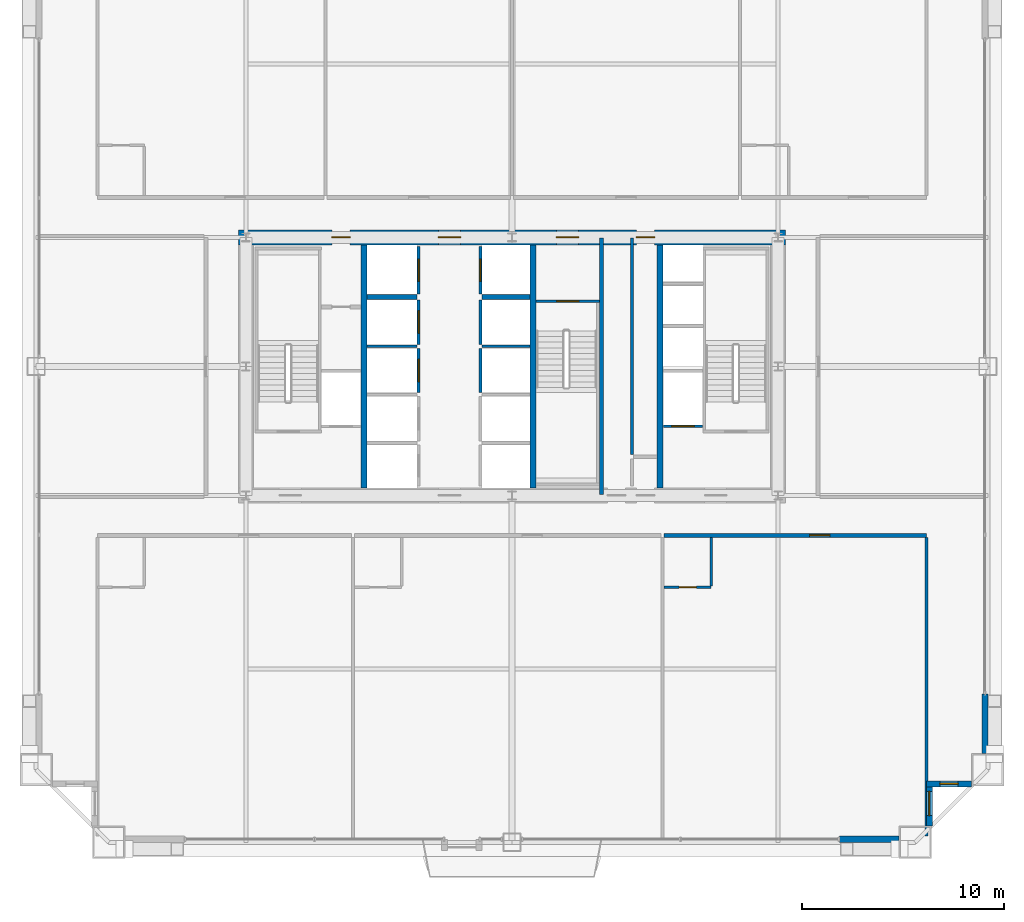
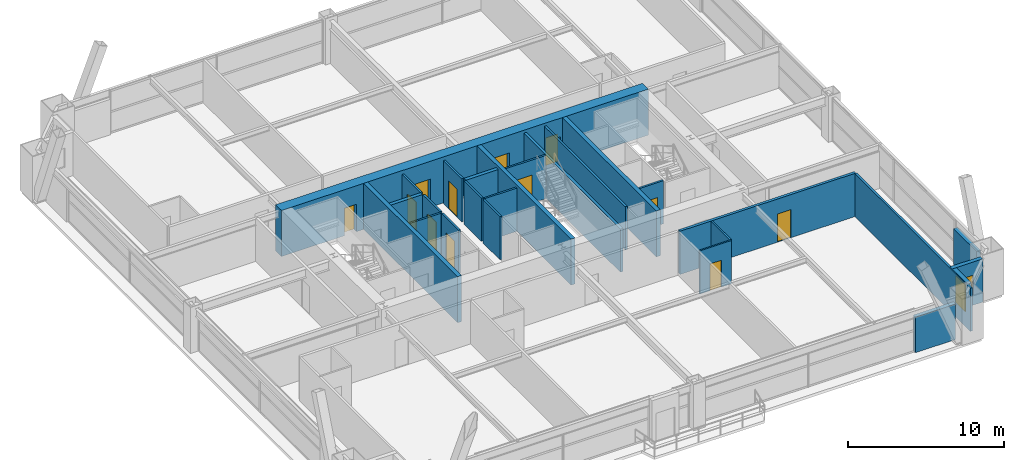
# One storey, part 40 of 43: 26 walls, 12 doors, 2 windows, 14 openings.
"""IFC4 building model written with IfcOpenShell, lengths in metres."""

from ifc_helpers import new_model, si_unit, direction, frame, frame_2d, origin, place, context, subcontext, project, spatial, rectangle, extrude, source, transform, mapped, material, layer, layer_set, type_object, element, fill, save


model = new_model("IFC4")

# Units and contexts
model_context = context("Model", 3, precision=1e-05, world=origin(), true_north=direction((0.0, 1.0)))
body_context = subcontext(model_context, "Body", "Model", "MODEL_VIEW")
ifc_project = project(units=[si_unit("LENGTHUNIT", "METRE"), si_unit("AREAUNIT", "SQUARE_METRE"), si_unit("VOLUMEUNIT", "CUBIC_METRE"), si_unit("PLANEANGLEUNIT", "RADIAN"), si_unit("MASSUNIT", "GRAM", prefix="KILO"), si_unit("THERMODYNAMICTEMPERATUREUNIT", "KELVIN"), si_unit("POWERUNIT", "WATT")], contexts=[model_context])

# Site, building, storey
site_placement = place(None, origin())
site = spatial("IfcSite", under=ifc_project, at=site_placement, CompositionType="ELEMENT")
building_placement = place(site_placement, origin())
building = spatial("IfcBuilding", under=site, at=building_placement, Name="Yuzanri Waterfront Tower", CompositionType="ELEMENT")
storey_placement = place(building_placement, frame((0.0, 0.0, 108.199951171875)))
storey = spatial("IfcBuildingStorey", under=building, at=storey_placement, Name="L28", CompositionType="ELEMENT", Elevation=108.199951171875)

# Wall, opening, door
ifc_material_1 = material(Name="Moisture-Resistant Gypsum Stud Wall", Category="gypsum")
ifc_layer_1 = layer(ifc_material_1, 0.1201171875)
ifc_layer_set_1 = layer_set([ifc_layer_1], Name="Moisture-Resistant Gypsum Stud Wall")
wall_type_1 = type_object("IfcWallType", Name="Bathroom and Kitchen Wet Partition 120", PredefinedType="PARTITIONING", material=ifc_layer_set_1)
wall_1_placement = place(storey_placement, frame((44.550048828125, 14.840087890625, 0.0), z_axis=(0.0, 0.0, 1.0), x_axis=(1.0, 0.0, 0.0)))
wall_1 = element("IfcWall", 1, at=wall_1_placement, inside=storey, type_object=wall_type_1, Name="L28 Partition UW-L28-S3-BS", PredefinedType="PARTITIONING", context=body_context, shape_type="SweptSolid", body=[
    extrude(rectangle(XDim=2.329833984375, YDim=0.1201171875, at=frame_2d((1.1650390625, 0.0))), origin(), (0.0, 0.0, 1.0), 3.380126953125),
])
opening_1_placement = place(wall_1_placement, frame((0.739990234375, 0.0, 0.0)))
opening_1 = element("IfcOpeningElement", 2, at=opening_1_placement, cuts=wall_1, Name="Opening ID-0850", PredefinedType="OPENING", context=body_context, shape_type="SweptSolid", body=[
    extrude(rectangle(XDim=0.85009765625, YDim=2.10009765625, at=frame_2d((0.425048828125, 1.050048828125))), frame((0.0, 0.074951171875, 0.0), z_axis=(0.0, -1.0, 0.0), x_axis=(1.0, 0.0, 0.0)), (0.0, 0.0, 1.0), 0.14990234375),
])
ifc_material_2 = material(Name="Moisture-Resistant Lacquered Timber", Category="wood")
door_type_1 = type_object("IfcDoorType", Name="En-Suite Bathroom and Kitchen Swing Door 850x2100", OperationType="NOTDEFINED", PredefinedType="DOOR", material=ifc_material_2)
shared_shape_1 = source(origin(), body_context, "Body", "SweptSolid", [
    extrude(rectangle(XDim=0.85009765625, YDim=2.10009765625, at=frame_2d((0.425048828125, 1.050048828125))), frame((0.0, 0.02490234375, 0.0), z_axis=(0.0, -1.0, 0.0), x_axis=(1.0, 0.0, 0.0)), (0.0, 0.0, 1.0), 0.050048828125),
])
door_1_placement = place(opening_1_placement, origin())
door_1 = element("IfcDoor", 3, at=door_1_placement, inside=storey, type_object=door_type_1, Name="L28 Guest En-Suite Door", OperationType="SINGLE_SWING_LEFT", OverallHeight=2.10009765625, OverallWidth=0.85009765625, PredefinedType="DOOR", context=body_context, shape_type="MappedRepresentation", body=[
    mapped(shared_shape_1, transform((0.0, 0.0, 0.0), scale=1.0)),
])
fill(opening_1, door_1)

# Wall, opening, window
ifc_material_3 = material(Name="Honed Chongqing Dark Basalt Stone", Category="masonry")
ifc_layer_2 = layer(ifc_material_3, 0.300048828125)
ifc_layer_set_2 = layer_set([ifc_layer_2], Name="Honed Chongqing Dark Basalt Stone")
wall_type_2 = type_object("IfcWallType", Name="Bronze Rainscreen Insulated Spandrel Portal Wall 300", PredefinedType="SOLIDWALL", material=ifc_layer_set_2)
wall_2_placement = place(storey_placement, frame((57.550048828125, 5.10009765625, 0.0), z_axis=(0.0, 0.0, 1.0), x_axis=(1.0, 0.0, 0.0)))
wall_2 = element("IfcWall", 4, at=wall_2_placement, inside=storey, type_object=wall_type_2, Name="L28 Notched Corner Masonry Wall SE-X", PredefinedType="SOLIDWALL", context=body_context, shape_type="SweptSolid", body=[
    extrude(rectangle(XDim=2.25, YDim=0.300048828125, at=frame_2d((1.125, 0.0))), origin(), (0.0, 0.0, 1.0), 3.380126953125),
])
opening_2_placement = place(wall_2_placement, frame((0.675048828125, 0.0, 0.85009765625)))
opening_2 = element("IfcOpeningElement", 5, at=opening_2_placement, cuts=wall_2, Name="Opening WN-05", PredefinedType="OPENING", context=body_context, shape_type="SweptSolid", body=[
    extrude(rectangle(XDim=0.89990234375, YDim=1.5, at=frame_2d((0.449951171875, 0.75))), frame((0.0, 0.1650390625, 0.0), z_axis=(0.0, -1.0, 0.0), x_axis=(1.0, 0.0, 0.0)), (0.0, 0.0, 1.0), 0.329833984375),
])
ifc_material_4 = material(Name="Double-Silver Low-E Insulated Glass", Category="glass")
window_type_1 = type_object("IfcWindowType", Name="Anodized Bronze Service and Stairwell Smoke-Vent Window 900x1500", PartitioningType="SINGLE_PANEL", PredefinedType="WINDOW", material=ifc_material_4)
shared_shape_2 = source(origin(), body_context, "Body", "SweptSolid", [
    extrude(rectangle(XDim=0.89990234375, YDim=1.5, at=frame_2d((0.449951171875, 0.75))), frame((0.0, 0.030029296875, 0.0), z_axis=(0.0, -1.0, 0.0), x_axis=(1.0, 0.0, 0.0)), (0.0, 0.0, 1.0), 0.06005859375),
])
window_1_placement = place(opening_2_placement, origin())
window_1 = element("IfcWindow", 6, at=window_1_placement, inside=storey, type_object=window_type_1, Name="L28 Notched Corner Window SE-X", OverallHeight=1.5, OverallWidth=0.89990234375, PartitioningType="SINGLE_PANEL", PredefinedType="WINDOW", context=body_context, shape_type="MappedRepresentation", body=[
    mapped(shared_shape_2, transform((0.0, 0.0, 0.0), scale=1.0)),
])
fill(opening_2, window_1)

wall_3_placement = place(storey_placement, frame((57.699951171875, 3.0, 0.0), z_axis=(0.0, 0.0, 1.0), x_axis=(0.0, 1.0, 0.0)))
wall_3 = element("IfcWall", 7, at=wall_3_placement, inside=storey, type_object=wall_type_2, Name="L28 Notched Corner Masonry Wall SE-Y", PredefinedType="SOLIDWALL", context=body_context, shape_type="SweptSolid", body=[
    extrude(rectangle(XDim=2.25, YDim=0.300048828125, at=frame_2d((1.125, 0.0))), origin(), (0.0, 0.0, 1.0), 3.380126953125),
])
opening_3_placement = place(wall_3_placement, frame((0.52490234375, 0.0, 0.85009765625)))
opening_3 = element("IfcOpeningElement", 8, at=opening_3_placement, cuts=wall_3, Name="Opening WN-02", PredefinedType="OPENING", context=body_context, shape_type="SweptSolid", body=[
    extrude(rectangle(XDim=1.199951171875, YDim=2.10009765625, at=frame_2d((0.60009765625, 1.050048828125))), frame((0.0, 0.1650390625, 0.0), z_axis=(0.0, -1.0, 0.0), x_axis=(1.0, 0.0, 0.0)), (0.0, 0.0, 1.0), 0.329833984375),
])
ifc_material_5 = material(Name="Double-Silver Low-E Insulated Glass", Category="glass")
window_type_2 = type_object("IfcWindowType", Name="Anodized Bronze Notched Corner Deep-Set Slot Window 1200x2100", PartitioningType="SINGLE_PANEL", PredefinedType="WINDOW", material=ifc_material_5)
shared_shape_3 = source(origin(), body_context, "Body", "SweptSolid", [
    extrude(rectangle(XDim=1.199951171875, YDim=2.10009765625, at=frame_2d((0.60009765625, 1.050048828125))), frame((0.0, 0.030029296875, 0.0), z_axis=(0.0, -1.0, 0.0), x_axis=(1.0, 0.0, 0.0)), (0.0, 0.0, 1.0), 0.06005859375),
])
window_2_placement = place(opening_3_placement, origin())
window_2 = element("IfcWindow", 9, at=window_2_placement, inside=storey, type_object=window_type_2, Name="L28 Notched Corner Window SE-Y", OverallHeight=2.10009765625, OverallWidth=1.199951171875, PartitioningType="SINGLE_PANEL", PredefinedType="WINDOW", context=body_context, shape_type="MappedRepresentation", body=[
    mapped(shared_shape_3, transform((0.0, 0.0, 0.0), scale=1.0)),
])
fill(opening_3, window_2)

# Wall, openings, doors
ifc_material_6 = material(Name="Concrete C55", Category="concrete")
ifc_layer_3 = layer(ifc_material_6, 0.75)
ifc_layer_set_3 = layer_set([ifc_layer_3], Name="Concrete C55")
wall_type_3 = type_object("IfcWallType", Name="Concrete C55 Low-Mid Zone Core Shear Wall 750", PredefinedType="SHEAR", material=ifc_layer_set_3)
wall_4_placement = place(storey_placement, frame((23.425048828125, 32.199951171875, 0.0), z_axis=(0.0, 0.0, 1.0), x_axis=(1.0, 0.0, 0.0)))
wall_4 = element("IfcWall", 10, at=wall_4_placement, inside=storey, type_object=wall_type_3, Name="L28 Core North Shear Wall", PredefinedType="SHEAR", context=body_context, shape_type="SweptSolid", body=[
    extrude(rectangle(XDim=27.14990234375, YDim=0.75, at=frame_2d((13.574951171875, 0.0))), origin(), (0.0, 0.0, 1.0), 3.60009765625),
])
opening_4_placement = place(wall_4_placement, frame((4.64501953125, 0.0, 0.0)))
opening_4 = element("IfcOpeningElement", 11, at=opening_4_placement, cuts=wall_4, Name="Opening FD-0900", PredefinedType="OPENING", context=body_context, shape_type="SweptSolid", body=[
    extrude(rectangle(XDim=0.89990234375, YDim=2.14990234375, at=frame_2d((0.449951171875, 1.074951171875))), frame((0.0, 0.389892578125, 0.0), z_axis=(0.0, -1.0, 0.0), x_axis=(1.0, 0.0, 0.0)), (0.0, 0.0, 1.0), 0.77978515625),
])
opening_5_placement = place(wall_4_placement, frame((9.925048828125, 0.0, 0.0)))
opening_5 = element("IfcOpeningElement", 12, at=opening_5_placement, cuts=wall_4, Name="Opening FD-1100", PredefinedType="OPENING", context=body_context, shape_type="SweptSolid", body=[
    extrude(rectangle(XDim=1.10009765625, YDim=2.199951171875, at=frame_2d((0.550048828125, 1.10009765625))), frame((0.0, 0.389892578125, 0.0), z_axis=(0.0, -1.0, 0.0), x_axis=(1.0, 0.0, 0.0)), (0.0, 0.0, 1.0), 0.77978515625),
])
opening_6_placement = place(wall_4_placement, frame((15.77490234375, 0.0, 0.0)))
opening_6 = element("IfcOpeningElement", 13, at=opening_6_placement, cuts=wall_4, Name="Opening FD-1100", PredefinedType="OPENING", context=body_context, shape_type="SweptSolid", body=[
    extrude(rectangle(XDim=1.10009765625, YDim=2.199951171875, at=frame_2d((0.550048828125, 1.10009765625))), frame((0.0, 0.389892578125, 0.0), z_axis=(0.0, -1.0, 0.0), x_axis=(1.0, 0.0, 0.0)), (0.0, 0.0, 1.0), 0.77978515625),
])
opening_7_placement = place(wall_4_placement, frame((19.7451171875, 0.0, 0.0)))
opening_7 = element("IfcOpeningElement", 14, at=opening_7_placement, cuts=wall_4, Name="Opening FD-0900", PredefinedType="OPENING", context=body_context, shape_type="SweptSolid", body=[
    extrude(rectangle(XDim=0.89990234375, YDim=2.14990234375, at=frame_2d((0.449951171875, 1.074951171875))), frame((0.0, 0.389892578125, 0.0), z_axis=(0.0, -1.0, 0.0), x_axis=(1.0, 0.0, 0.0)), (0.0, 0.0, 1.0), 0.77978515625),
])
ifc_material_7 = material(Name="Painted Galvanized Fire Steel", Category="steel")
door_type_2 = type_object("IfcDoorType", Name="Smoke-Proof Stair and Lobby Fire Door 1100x2200", OperationType="NOTDEFINED", PredefinedType="DOOR", material=ifc_material_7)
shared_shape_4 = source(origin(), body_context, "Body", "SweptSolid", [
    extrude(rectangle(XDim=1.10009765625, YDim=2.199951171875, at=frame_2d((0.550048828125, 1.10009765625))), frame((0.0, 0.02490234375, 0.0), z_axis=(0.0, -1.0, 0.0), x_axis=(1.0, 0.0, 0.0)), (0.0, 0.0, 1.0), 0.050048828125),
])
door_2_placement = place(opening_5_placement, origin())
door_2 = element("IfcDoor", 15, at=door_2_placement, inside=storey, type_object=door_type_2, Name="L28 Central Lift Lobby North Door", OperationType="SINGLE_SWING_RIGHT", OverallHeight=2.199951171875, OverallWidth=1.10009765625, PredefinedType="DOOR", context=body_context, shape_type="MappedRepresentation", body=[
    mapped(shared_shape_4, transform((0.0, 0.0, 0.0), scale=1.0)),
])
fill(opening_5, door_2)
door_3_placement = place(opening_6_placement, origin())
door_3 = element("IfcDoor", 16, at=door_3_placement, inside=storey, type_object=door_type_2, Name="L28 North Stair Lobby Door", OperationType="SINGLE_SWING_LEFT", OverallHeight=2.199951171875, OverallWidth=1.10009765625, PredefinedType="DOOR", context=body_context, shape_type="MappedRepresentation", body=[
    mapped(shared_shape_4, transform((0.0, 0.0, 0.0), scale=1.0)),
])
fill(opening_6, door_3)
ifc_material_8 = material(Name="Painted Galvanized Fire Steel", Category="steel")
door_type_3 = type_object("IfcDoorType", Name="Riser and Service Room Fire Door 900x2150", OperationType="NOTDEFINED", PredefinedType="DOOR", material=ifc_material_8)
shared_shape_5 = source(origin(), body_context, "Body", "SweptSolid", [
    extrude(rectangle(XDim=0.89990234375, YDim=2.14990234375, at=frame_2d((0.449951171875, 1.074951171875))), frame((0.0, 0.02490234375, 0.0), z_axis=(0.0, -1.0, 0.0), x_axis=(1.0, 0.0, 0.0)), (0.0, 0.0, 1.0), 0.050048828125),
])
door_4_placement = place(opening_4_placement, origin())
door_4 = element("IfcDoor", 17, at=door_4_placement, inside=storey, type_object=door_type_3, Name="L28 Telecom Riser Door", OperationType="SINGLE_SWING_LEFT", OverallHeight=2.14990234375, OverallWidth=0.89990234375, PredefinedType="DOOR", context=body_context, shape_type="MappedRepresentation", body=[
    mapped(shared_shape_5, transform((0.0, 0.0, 0.0), scale=1.0)),
])
fill(opening_4, door_4)
door_5_placement = place(opening_7_placement, origin())
door_5 = element("IfcDoor", 18, at=door_5_placement, inside=storey, type_object=door_type_3, Name="L28 Linen Store Room", OperationType="SINGLE_SWING_LEFT", OverallHeight=2.14990234375, OverallWidth=0.89990234375, PredefinedType="DOOR", context=body_context, shape_type="MappedRepresentation", body=[
    mapped(shared_shape_5, transform((0.0, 0.0, 0.0), scale=1.0)),
])
fill(opening_7, door_5)

# Wall, opening, door
ifc_material_9 = material(Name="Concrete C40", Category="concrete")
ifc_layer_4 = layer(ifc_material_9, 0.139892578125)
ifc_layer_set_4 = layer_set([ifc_layer_4], Name="Concrete C40")
wall_type_4 = type_object("IfcWallType", Name="Core Stair Liner and Hoistway Shaft Wall 140", PredefinedType="SOLIDWALL", material=ifc_layer_set_4)
wall_5_placement = place(storey_placement, frame((44.52001953125, 22.830078125, 0.0), z_axis=(0.0, 0.0, 1.0), x_axis=(1.0, 0.0, 0.0)))
wall_5 = element("IfcWall", 19, at=wall_5_placement, inside=storey, type_object=wall_type_4, Name="L28 Lift FL-02 Front Shaft Wall", PredefinedType="SOLIDWALL", context=body_context, shape_type="SweptSolid", body=[
    extrude(rectangle(XDim=1.919921875, YDim=0.139892578125, at=frame_2d((0.9599609375, 0.0))), origin(), (0.0, 0.0, 1.0), 3.380126953125),
])
opening_8_placement = place(wall_5_placement, frame((0.409912109375, 0.0, 0.0)))
opening_8 = element("IfcOpeningElement", 20, at=opening_8_placement, cuts=wall_5, Name="Opening LD-FL-02", PredefinedType="OPENING", context=body_context, shape_type="SweptSolid", body=[
    extrude(rectangle(XDim=1.10009765625, YDim=2.199951171875, at=frame_2d((0.550048828125, 1.10009765625))), frame((0.0, 0.0849609375, 0.0), z_axis=(0.0, -1.0, 0.0), x_axis=(1.0, 0.0, 0.0)), (0.0, 0.0, 1.0), 0.169677734375),
])
ifc_material_10 = material(Name="Brushed Bronze and Stainless Steel Cab", Category="steel")
door_type_4 = type_object("IfcDoorType", Name="Center-Parting Bronze Lift Landing Sliding Door 1100x2200", OperationType="NOTDEFINED", PredefinedType="DOOR", material=ifc_material_10)
shared_shape_6 = source(origin(), body_context, "Body", "SweptSolid", [
    extrude(rectangle(XDim=1.10009765625, YDim=2.199951171875, at=frame_2d((0.550048828125, 1.10009765625))), frame((0.0, 0.02490234375, 0.0), z_axis=(0.0, -1.0, 0.0), x_axis=(1.0, 0.0, 0.0)), (0.0, 0.0, 1.0), 0.050048828125),
])
door_6_placement = place(opening_8_placement, origin())
door_6 = element("IfcDoor", 21, at=door_6_placement, inside=storey, type_object=door_type_4, Name="L28 FL-02 Lift Landing Sliding Door", OperationType="SLIDING_TO_RIGHT", OverallHeight=2.199951171875, OverallWidth=1.10009765625, PredefinedType="DOOR", context=body_context, shape_type="MappedRepresentation", body=[
    mapped(shared_shape_6, transform((0.0, 0.0, 0.0), scale=1.0)),
])
fill(opening_8, door_6)

wall_6_placement = place(storey_placement, frame((32.3701171875, 24.5, 0.0), z_axis=(0.0, 0.0, 1.0), x_axis=(0.0, 1.0, 0.0)))
wall_6 = element("IfcWall", 22, at=wall_6_placement, inside=storey, type_object=wall_type_4, Name="L28 Lift PL-03 Front Shaft Wall", PredefinedType="SOLIDWALL", context=body_context, shape_type="SweptSolid", body=[
    extrude(rectangle(XDim=2.199951171875, YDim=0.139892578125, at=frame_2d((1.10009765625, 0.0))), origin(), (0.0, 0.0, 1.0), 3.380126953125),
])
opening_9_placement = place(wall_6_placement, frame((0.550048828125, 0.0, 0.0)))
opening_9 = element("IfcOpeningElement", 23, at=opening_9_placement, cuts=wall_6, Name="Opening LD-PL-03", PredefinedType="OPENING", context=body_context, shape_type="SweptSolid", body=[
    extrude(rectangle(XDim=1.10009765625, YDim=2.199951171875, at=frame_2d((0.550048828125, 1.10009765625))), frame((0.0, 0.0849609375, 0.0), z_axis=(0.0, -1.0, 0.0), x_axis=(1.0, 0.0, 0.0)), (0.0, 0.0, 1.0), 0.169677734375),
])
door_7_placement = place(opening_9_placement, origin())
door_7 = element("IfcDoor", 24, at=door_7_placement, inside=storey, type_object=door_type_4, Name="L28 PL-03 Lift Landing Sliding Door", OperationType="SLIDING_TO_LEFT", OverallHeight=2.199951171875, OverallWidth=1.10009765625, PredefinedType="DOOR", context=body_context, shape_type="MappedRepresentation", body=[
    mapped(shared_shape_6, transform((0.0, 0.0, 0.0), scale=1.0)),
])
fill(opening_9, door_7)

wall_7_placement = place(storey_placement, frame((32.3701171875, 26.89990234375, 0.0), z_axis=(0.0, 0.0, 1.0), x_axis=(0.0, 1.0, 0.0)))
wall_7 = element("IfcWall", 25, at=wall_7_placement, inside=storey, type_object=wall_type_4, Name="L28 Lift PL-04 Front Shaft Wall", PredefinedType="SOLIDWALL", context=body_context, shape_type="SweptSolid", body=[
    extrude(rectangle(XDim=2.2001953125, YDim=0.139892578125, at=frame_2d((1.10009765625, 0.0))), origin(), (0.0, 0.0, 1.0), 3.380126953125),
])
opening_10_placement = place(wall_7_placement, frame((0.550048828125, 0.0, 0.0)))
opening_10 = element("IfcOpeningElement", 26, at=opening_10_placement, cuts=wall_7, Name="Opening LD-PL-04", PredefinedType="OPENING", context=body_context, shape_type="SweptSolid", body=[
    extrude(rectangle(XDim=1.10009765625, YDim=2.199951171875, at=frame_2d((0.550048828125, 1.10009765625))), frame((0.0, 0.0849609375, 0.0), z_axis=(0.0, -1.0, 0.0), x_axis=(1.0, 0.0, 0.0)), (0.0, 0.0, 1.0), 0.169677734375),
])
door_8_placement = place(opening_10_placement, origin())
door_8 = element("IfcDoor", 27, at=door_8_placement, inside=storey, type_object=door_type_4, Name="L28 PL-04 Lift Landing Sliding Door", OperationType="SLIDING_TO_RIGHT", OverallHeight=2.199951171875, OverallWidth=1.10009765625, PredefinedType="DOOR", context=body_context, shape_type="MappedRepresentation", body=[
    mapped(shared_shape_6, transform((0.0, 0.0, 0.0), scale=1.0)),
])
fill(opening_10, door_8)

wall_8_placement = place(storey_placement, frame((32.3701171875, 29.39990234375, 0.0), z_axis=(0.0, 0.0, 1.0), x_axis=(0.0, 1.0, 0.0)))
wall_8 = element("IfcWall", 28, at=wall_8_placement, inside=storey, type_object=wall_type_4, Name="L28 Lift SL-01 Front Shaft Wall", PredefinedType="SOLIDWALL", context=body_context, shape_type="SweptSolid", body=[
    extrude(rectangle(XDim=2.340087890625, YDim=0.139892578125, at=frame_2d((1.169921875, 0.0))), origin(), (0.0, 0.0, 1.0), 3.380126953125),
])
opening_11_placement = place(wall_8_placement, frame((0.6201171875, 0.0, 0.0)))
opening_11 = element("IfcOpeningElement", 29, at=opening_11_placement, cuts=wall_8, Name="Opening LD-SL-01", PredefinedType="OPENING", context=body_context, shape_type="SweptSolid", body=[
    extrude(rectangle(XDim=1.10009765625, YDim=2.199951171875, at=frame_2d((0.550048828125, 1.10009765625))), frame((0.0, 0.0849609375, 0.0), z_axis=(0.0, -1.0, 0.0), x_axis=(1.0, 0.0, 0.0)), (0.0, 0.0, 1.0), 0.169677734375),
])
door_9_placement = place(opening_11_placement, origin())
door_9 = element("IfcDoor", 30, at=door_9_placement, inside=storey, type_object=door_type_4, Name="L28 SL-01 Lift Landing Sliding Door", OperationType="SLIDING_TO_LEFT", OverallHeight=2.199951171875, OverallWidth=1.10009765625, PredefinedType="DOOR", context=body_context, shape_type="MappedRepresentation", body=[
    mapped(shared_shape_6, transform((0.0, 0.0, 0.0), scale=1.0)),
])
fill(opening_11, door_9)

wall_9_placement = place(storey_placement, frame((35.429931640625, 29.39990234375, 0.0), z_axis=(0.0, 0.0, 1.0), x_axis=(0.0, 1.0, 0.0)))
wall_9 = element("IfcWall", 31, at=wall_9_placement, inside=storey, type_object=wall_type_4, Name="L28 Lift SL-02 Front Shaft Wall", PredefinedType="SOLIDWALL", context=body_context, shape_type="SweptSolid", body=[
    extrude(rectangle(XDim=2.340087890625, YDim=0.139892578125, at=frame_2d((1.169921875, 0.0))), origin(), (0.0, 0.0, 1.0), 3.380126953125),
])
opening_12_placement = place(wall_9_placement, frame((0.6201171875, 0.0, 0.0)))
opening_12 = element("IfcOpeningElement", 32, at=opening_12_placement, cuts=wall_9, Name="Opening LD-SL-02", PredefinedType="OPENING", context=body_context, shape_type="SweptSolid", body=[
    extrude(rectangle(XDim=1.10009765625, YDim=2.199951171875, at=frame_2d((0.550048828125, 1.10009765625))), frame((0.0, 0.0849609375, 0.0), z_axis=(0.0, -1.0, 0.0), x_axis=(1.0, 0.0, 0.0)), (0.0, 0.0, 1.0), 0.169677734375),
])
door_10_placement = place(opening_12_placement, origin())
door_10 = element("IfcDoor", 33, at=door_10_placement, inside=storey, type_object=door_type_4, Name="L28 SL-02 Lift Landing Sliding Door", OperationType="SLIDING_TO_RIGHT", OverallHeight=2.199951171875, OverallWidth=1.10009765625, PredefinedType="DOOR", context=body_context, shape_type="MappedRepresentation", body=[
    mapped(shared_shape_6, transform((0.0, 0.0, 0.0), scale=1.0)),
])
fill(opening_12, door_10)

wall_10_placement = place(storey_placement, frame((38.199951171875, 29.030029296875, 0.0), z_axis=(0.0, 0.0, 1.0), x_axis=(1.0, 0.0, 0.0)))
wall_10 = element("IfcWall", 34, at=wall_10_placement, inside=storey, type_object=wall_type_4, Name="L28 Shaft Wall STW-L28-ST-03-N", PredefinedType="SOLIDWALL", context=body_context, shape_type="SweptSolid", body=[
    extrude(rectangle(XDim=3.14013671875, YDim=0.139892578125, at=frame_2d((1.570068359375, 0.0))), origin(), (0.0, 0.0, 1.0), 3.380126953125),
])
opening_13_placement = place(wall_10_placement, frame((1.02001953125, 0.0, 0.0)))
opening_13 = element("IfcOpeningElement", 35, at=opening_13_placement, cuts=wall_10, Name="Opening FD-1100", PredefinedType="OPENING", context=body_context, shape_type="SweptSolid", body=[
    extrude(rectangle(XDim=1.10009765625, YDim=2.199951171875, at=frame_2d((0.550048828125, 1.10009765625))), frame((0.0, 0.0849609375, 0.0), z_axis=(0.0, -1.0, 0.0), x_axis=(1.0, 0.0, 0.0)), (0.0, 0.0, 1.0), 0.169677734375),
])
door_11_placement = place(opening_13_placement, origin())
door_11 = element("IfcDoor", 36, at=door_11_placement, inside=storey, type_object=door_type_2, Name="L28 Stair ST-03 Fire Door", OperationType="SINGLE_SWING_LEFT", OverallHeight=2.199951171875, OverallWidth=1.10009765625, PredefinedType="DOOR", context=body_context, shape_type="MappedRepresentation", body=[
    mapped(shared_shape_4, transform((0.0, 0.0, 0.0), scale=1.0)),
])
fill(opening_13, door_11)

ifc_material_11 = material(Name="Autoclaved Aerated Concrete Blockwork", Category="masonry")
ifc_layer_5 = layer(ifc_material_11, 0.199951171875)
ifc_layer_set_5 = layer_set([ifc_layer_5], Name="Autoclaved Aerated Concrete Blockwork")
wall_type_5 = type_object("IfcWallType", Name="Corridor and Unit Party Fire Wall 200", PredefinedType="PARTITIONING", material=ifc_layer_set_5)
wall_11_placement = place(storey_placement, frame((44.550048828125, 17.419921875, 0.0), z_axis=(0.0, 0.0, 1.0), x_axis=(1.0, 0.0, 0.0)))
wall_11 = element("IfcWall", 37, at=wall_11_placement, inside=storey, type_object=wall_type_5, Name="L28 Partition UW-L28-S3-CN", PredefinedType="PARTITIONING", context=body_context, shape_type="SweptSolid", body=[
    extrude(rectangle(XDim=13.010009765625, YDim=0.199951171875, at=frame_2d((6.5048828125, 0.0))), origin(), (0.0, 0.0, 1.0), 3.380126953125),
])
opening_14_placement = place(wall_11_placement, frame((7.2099609375, 0.0, 0.0)))
opening_14 = element("IfcOpeningElement", 38, at=opening_14_placement, cuts=wall_11, Name="Opening FD-1000", PredefinedType="OPENING", context=body_context, shape_type="SweptSolid", body=[
    extrude(rectangle(XDim=1.0, YDim=2.199951171875, at=frame_2d((0.5, 1.10009765625))), frame((0.0, 0.11474609375, 0.0), z_axis=(0.0, -1.0, 0.0), x_axis=(1.0, 0.0, 0.0)), (0.0, 0.0, 1.0), 0.229736328125),
])
ifc_material_12 = material(Name="Engineered Oak Fire-Rated Timber", Category="wood")
door_type_5 = type_object("IfcDoorType", Name="Guestroom and Apartment Entrance Fire Door 1000x2200", OperationType="NOTDEFINED", PredefinedType="DOOR", material=ifc_material_12)
shared_shape_7 = source(origin(), body_context, "Body", "SweptSolid", [
    extrude(rectangle(XDim=1.0, YDim=2.199951171875, at=frame_2d((0.5, 1.10009765625))), frame((0.0, 0.02490234375, 0.0), z_axis=(0.0, -1.0, 0.0), x_axis=(1.0, 0.0, 0.0)), (0.0, 0.0, 1.0), 0.050048828125),
])
door_12_placement = place(opening_14_placement, origin())
door_12 = element("IfcDoor", 39, at=door_12_placement, inside=storey, type_object=door_type_5, Name="L28 Ambassador Corner Suite Entrance Door", OperationType="SINGLE_SWING_RIGHT", OverallHeight=2.199951171875, OverallWidth=1.0, PredefinedType="DOOR", context=body_context, shape_type="MappedRepresentation", body=[
    mapped(shared_shape_7, transform((0.0, 0.0, 0.0), scale=1.0)),
])
fill(opening_14, door_12)

# Walls
ifc_material_13 = material(Name="Concrete C50", Category="concrete")
ifc_layer_6 = layer(ifc_material_13, 0.300048828125)
ifc_layer_set_6 = layer_set([ifc_layer_6], Name="Concrete C50")
wall_type_6 = type_object("IfcWallType", Name="Concrete C50 Internal Core Shaft Structural Wall 300", PredefinedType="SOLIDWALL", material=ifc_layer_set_6)
shared_shape_8 = source(origin(), body_context, "Body", "SweptSolid", [
    extrude(rectangle(XDim=12.050048828125, YDim=0.300048828125, at=frame_2d((6.02490234375, 0.0))), origin(), (0.0, 0.0, 1.0), 3.60009765625),
])
for number, where, z_axis, x_axis, name in (
    (40, (29.64990234375, 19.77490234375, 0.0), (0.0, 0.0, 1.0), (0.0, 1.0, 0.0), "L28 Core Internal Structural Web Wall 1"),
    (41, (38.050048828125, 19.77490234375, 0.0), (0.0, 0.0, 1.0), (0.0, 1.0, 0.0), "L28 Core Internal Structural Web Wall 2"),
    (42, (44.35009765625, 19.77490234375, 0.0), (0.0, 0.0, 1.0), (0.0, 1.0, 0.0), "L28 Core Internal Structural Web Wall 3"),
):
    element("IfcWall", number, at=place(storey_placement, frame(where, z_axis=z_axis, x_axis=x_axis)), inside=storey, type_object=wall_type_6, Name=name, PredefinedType="SOLIDWALL", context=body_context, shape_type="MappedRepresentation", body=[
        mapped(shared_shape_8, transform((0.0, 0.0, 0.0), scale=1.0)),
    ])
shared_shape_9 = source(origin(), body_context, "Body", "SweptSolid", [
    extrude(rectangle(XDim=2.949951171875, YDim=0.300048828125, at=frame_2d((1.47509765625, 0.0))), origin(), (0.0, 0.0, 1.0), 2.775146484375),
])
for number, where, z_axis, x_axis, name in (
    (43, (53.25, 2.35009765625, 0.0), (0.0, 0.0, 1.0), (1.0, 0.0, 0.0), "L28 S Right Braced Masonry Shoulder"),
    (44, (60.449951171875, 6.60009765625, 0.0), (0.0, 0.0, 1.0), (0.0, 1.0, 0.0), "L28 E Left Braced Masonry Shoulder"),
):
    element("IfcWall", number, at=place(storey_placement, frame(where, z_axis=z_axis, x_axis=x_axis)), inside=storey, type_object=wall_type_2, Name=name, PredefinedType="SOLIDWALL", context=body_context, shape_type="MappedRepresentation", body=[
        mapped(shared_shape_9, transform((0.0, 0.0, 0.0), scale=1.0)),
    ])
shared_shape_10 = source(origin(), body_context, "Body", "SweptSolid", [
    extrude(rectangle(XDim=2.5, YDim=0.139892578125, at=frame_2d((1.25, 0.0))), origin(), (0.0, 0.0, 1.0), 3.380126953125),
])
wall_12_placement = place(storey_placement, frame((29.800048828125, 26.800048828125, 0.0), z_axis=(0.0, 0.0, 1.0), x_axis=(1.0, 0.0, 0.0)))
element("IfcWall", 45, at=wall_12_placement, inside=storey, type_object=wall_type_4, Name="L28 Lift PL-03 Divider Wall", PredefinedType="SOLIDWALL", context=body_context, shape_type="MappedRepresentation", body=[
    mapped(shared_shape_10, transform((0.0, 0.0, 0.0), scale=1.0)),
])
ifc_material_14 = material(Name="Concrete C40", Category="concrete")
ifc_layer_7 = layer(ifc_material_14, 0.25)
ifc_layer_set_7 = layer_set([ifc_layer_7], Name="Concrete C40")
wall_type_7 = type_object("IfcWallType", Name="Smoke-Proof Stair and Lift Shaft Wall 250", PredefinedType="SOLIDWALL", material=ifc_layer_set_7)
shared_shape_11 = source(origin(), body_context, "Body", "SweptSolid", [
    extrude(rectangle(XDim=2.5, YDim=0.25, at=frame_2d((1.25, 0.0))), origin(), (0.0, 0.0, 1.0), 3.380126953125),
])
wall_13_placement = place(storey_placement, frame((29.800048828125, 29.25, 0.0), z_axis=(0.0, 0.0, 1.0), x_axis=(1.0, 0.0, 0.0)))
element("IfcWall", 46, at=wall_13_placement, inside=storey, type_object=wall_type_7, Name="L28 Lift SL-01 South Shaft Wall", PredefinedType="SOLIDWALL", context=body_context, shape_type="MappedRepresentation", body=[
    mapped(shared_shape_11, transform((0.0, 0.0, 0.0), scale=1.0)),
])
shared_shape_12 = source(origin(), body_context, "Body", "SweptSolid", [
    extrude(rectangle(XDim=2.39990234375, YDim=0.139892578125, at=frame_2d((1.199951171875, 0.0))), origin(), (0.0, 0.0, 1.0), 3.380126953125),
])
wall_14_placement = place(storey_placement, frame((35.5, 26.800048828125, 0.0), z_axis=(0.0, 0.0, 1.0), x_axis=(1.0, 0.0, 0.0)))
element("IfcWall", 47, at=wall_14_placement, inside=storey, type_object=wall_type_4, Name="L28 Lift PL-07 Divider Wall", PredefinedType="SOLIDWALL", context=body_context, shape_type="MappedRepresentation", body=[
    mapped(shared_shape_12, transform((0.0, 0.0, 0.0), scale=1.0)),
])
shared_shape_13 = source(origin(), body_context, "Body", "SweptSolid", [
    extrude(rectangle(XDim=2.199951171875, YDim=0.139892578125, at=frame_2d((1.10009765625, 0.0))), origin(), (0.0, 0.0, 1.0), 3.380126953125),
])
wall_15_placement = place(storey_placement, frame((35.429931640625, 24.5, 0.0), z_axis=(0.0, 0.0, 1.0), x_axis=(0.0, 1.0, 0.0)))
element("IfcWall", 48, at=wall_15_placement, inside=storey, type_object=wall_type_4, Name="L28 Lift PL-07 Front Shaft Wall", PredefinedType="SOLIDWALL", context=body_context, shape_type="MappedRepresentation", body=[
    mapped(shared_shape_13, transform((0.0, 0.0, 0.0), scale=1.0)),
])
shared_shape_14 = source(origin(), body_context, "Body", "SweptSolid", [
    extrude(rectangle(XDim=2.2001953125, YDim=0.139892578125, at=frame_2d((1.10009765625, 0.0))), origin(), (0.0, 0.0, 1.0), 3.380126953125),
])
wall_16_placement = place(storey_placement, frame((35.429931640625, 26.89990234375, 0.0), z_axis=(0.0, 0.0, 1.0), x_axis=(0.0, 1.0, 0.0)))
element("IfcWall", 49, at=wall_16_placement, inside=storey, type_object=wall_type_4, Name="L28 Lift PL-08 Front Shaft Wall", PredefinedType="SOLIDWALL", context=body_context, shape_type="MappedRepresentation", body=[
    mapped(shared_shape_14, transform((0.0, 0.0, 0.0), scale=1.0)),
])
shared_shape_15 = source(origin(), body_context, "Body", "SweptSolid", [
    extrude(rectangle(XDim=2.39990234375, YDim=0.25, at=frame_2d((1.199951171875, 0.0))), origin(), (0.0, 0.0, 1.0), 3.380126953125),
])
wall_17_placement = place(storey_placement, frame((35.5, 29.25, 0.0), z_axis=(0.0, 0.0, 1.0), x_axis=(1.0, 0.0, 0.0)))
element("IfcWall", 50, at=wall_17_placement, inside=storey, type_object=wall_type_7, Name="L28 Lift SL-02 South Shaft Wall", PredefinedType="SOLIDWALL", context=body_context, shape_type="MappedRepresentation", body=[
    mapped(shared_shape_15, transform((0.0, 0.0, 0.0), scale=1.0)),
])
shared_shape_16 = source(origin(), body_context, "Body", "SweptSolid", [
    extrude(rectangle(XDim=12.719970703125, YDim=0.199951171875, at=frame_2d((6.35986328125, 0.0))), origin(), (0.0, 0.0, 1.0), 3.380126953125),
])
wall_18_placement = place(storey_placement, frame((41.449951171875, 19.43994140625, 0.0), z_axis=(0.0, 0.0, 1.0), x_axis=(0.0, 1.0, 0.0)))
element("IfcWall", 51, at=wall_18_placement, inside=storey, type_object=wall_type_5, Name="L28 Core BOH West Wall 1", PredefinedType="PARTITIONING", context=body_context, shape_type="MappedRepresentation", body=[
    mapped(shared_shape_16, transform((0.0, 0.0, 0.0), scale=1.0)),
])
shared_shape_17 = source(origin(), body_context, "Body", "SweptSolid", [
    extrude(rectangle(XDim=2.420166015625, YDim=0.1201171875, at=frame_2d((1.2099609375, 0.0))), origin(), (0.0, 0.0, 1.0), 3.380126953125),
])
wall_19_placement = place(storey_placement, frame((46.8798828125, 14.89990234375, 0.0), z_axis=(0.0, 0.0, 1.0), x_axis=(0.0, 1.0, 0.0)))
element("IfcWall", 52, at=wall_19_placement, inside=storey, type_object=wall_type_1, Name="L28-S3 En-Suite Side Wall", PredefinedType="PARTITIONING", context=body_context, shape_type="MappedRepresentation", body=[
    mapped(shared_shape_17, transform((0.0, 0.0, 0.0), scale=1.0)),
])
ifc_material_15 = material(Name="Gypsum Fireboard Acoustic Stud Wall", Category="gypsum")
ifc_layer_8 = layer(ifc_material_15, 0.159912109375)
ifc_layer_set_8 = layer_set([ifc_layer_8], Name="Gypsum Fireboard Acoustic Stud Wall")
wall_type_8 = type_object("IfcWallType", Name="Acoustic Suite Demising Partition 160", PredefinedType="PARTITIONING", material=ifc_layer_set_8)
shared_shape_18 = source(origin(), body_context, "Body", "SweptSolid", [
    extrude(rectangle(XDim=10.719970703125, YDim=0.159912109375, at=frame_2d((5.35986328125, 0.0))), origin(), (0.0, 0.0, 1.0), 3.380126953125),
])
wall_20_placement = place(storey_placement, frame((42.949951171875, 21.43994140625, 0.0), z_axis=(0.0, 0.0, 1.0), x_axis=(0.0, 1.0, 0.0)))
element("IfcWall", 53, at=wall_20_placement, inside=storey, type_object=wall_type_8, Name="L28 Core BOH Mid Wall 2", PredefinedType="PARTITIONING", context=body_context, shape_type="MappedRepresentation", body=[
    mapped(shared_shape_18, transform((0.0, 0.0, 0.0), scale=1.0)),
])
shared_shape_19 = source(origin(), body_context, "Body", "SweptSolid", [
    extrude(rectangle(XDim=14.820068359375, YDim=0.159912109375, at=frame_2d((7.41015625, 0.0))), origin(), (0.0, 0.0, 1.0), 3.380126953125),
])
wall_21_placement = place(storey_placement, frame((57.550048828125, 2.5, 0.0), z_axis=(0.0, 0.0, 1.0), x_axis=(0.0, 1.0, 0.0)))
element("IfcWall", 54, at=wall_21_placement, inside=storey, type_object=wall_type_8, Name="L28 South Band East End Wall", PredefinedType="PARTITIONING", context=body_context, shape_type="MappedRepresentation", body=[
    mapped(shared_shape_19, transform((0.0, 0.0, 0.0), scale=1.0)),
])

save(model, "model.ifc")
